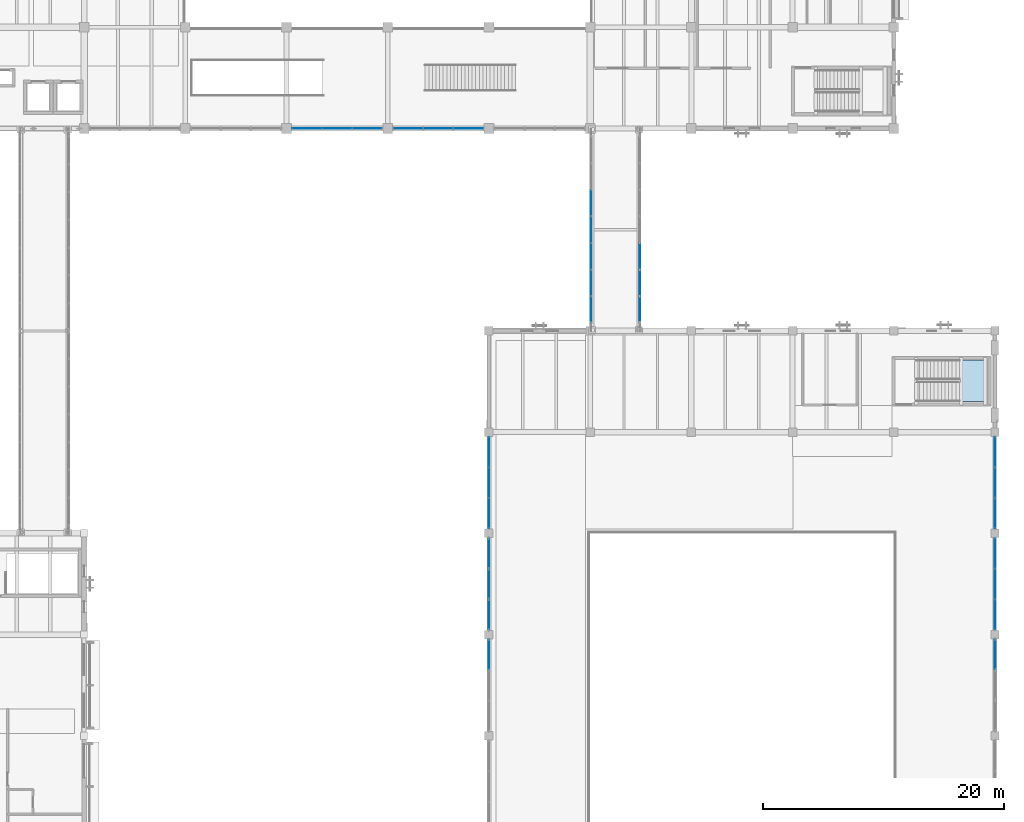
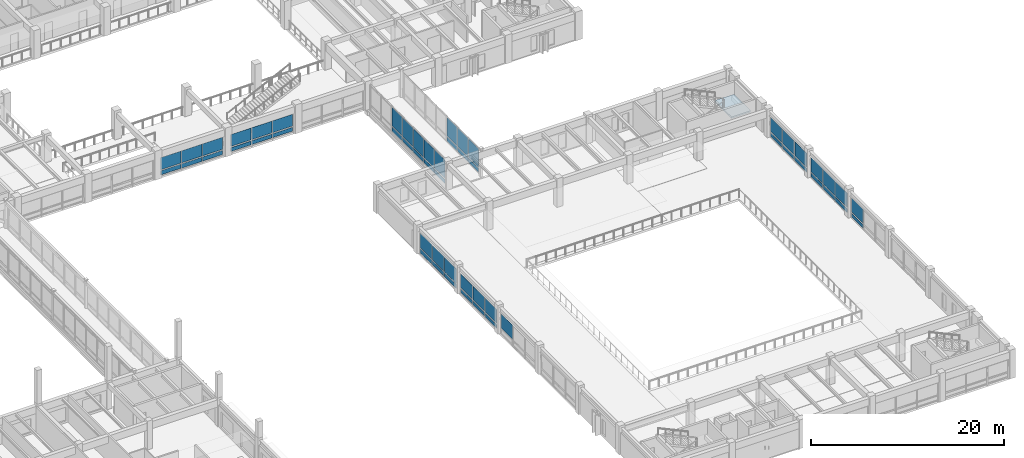
# One storey, part 57 of 118: 55 plates, 1 slab, 11 elements without a shape of their own.
"""IFC4 building model written with IfcOpenShell, lengths in metres."""

import ifcopenshell
import ifcopenshell.guid

model = None  # the IFC model being written
_history = None  # IfcOwnerHistory: only IFC2X3 demands one
_inside = {}  # id of a spatial element -> (the spatial element, [elements in it])
_under = {}  # id of a project, library or spatial element -> (it, [spatial elements below it])
_declared = {}  # id of a project -> (the project, [libraries it declares])
_typed = {}  # id of a type object -> (the type object, [elements of that type])
_made_of = {}  # id of a material, layer set ... -> (it, [elements and type objects made of it])


def new_model(schema):
    """Start an empty IFC model of exactly this schema.

    Asked for "IFC4X3", IfcOpenShell would pick the latest addendum, in which some entities
    have other attributes; the version numbers below select the first issue.
    IFC2X3 requires an IfcOwnerHistory on every rooted entity: one is made here for all.
    """
    global model, _history
    if schema == "IFC4X3":
        model = ifcopenshell.file(schema_version=(4, 3, 0, 0))
    else:
        model = ifcopenshell.file(schema=schema)
    _inside.clear()
    _under.clear()
    _declared.clear()
    _typed.clear()
    _made_of.clear()
    _history = None
    if model.schema == "IFC2X3":
        org = make("IfcOrganization", Name="unknown")
        user = make(
            "IfcPersonAndOrganization",
            ThePerson=make("IfcPerson", FamilyName="unknown"),
            TheOrganization=org,
        )
        app = make(
            "IfcApplication",
            ApplicationDeveloper=org,
            Version="unknown",
            ApplicationFullName="unknown",
            ApplicationIdentifier="unknown",
        )
        _history = make(
            "IfcOwnerHistory",
            OwningUser=user,
            OwningApplication=app,
            ChangeAction="ADDED",
            CreationDate=0,
        )
    return model


def make(cls, **values):
    """One entity of the class cls with the attributes given. An attribute that is None is left unset."""
    return model.create_entity(
        cls, **{name: value for name, value in values.items() if value is not None}
    )


def rooted(cls, **values):
    """An entity with a GlobalId (a new one), such as an element, a storey or a relation."""
    return make(cls, GlobalId=ifcopenshell.guid.new(), OwnerHistory=_history, **values)


def si_unit(unit_type, name, prefix=None):
    """IfcSIUnit, for example si_unit("LENGTHUNIT", "METRE", prefix="MILLI")."""
    return make("IfcSIUnit", UnitType=unit_type, Prefix=prefix, Name=name)


def assignment(units):
    """IfcUnitAssignment: the units of a project."""
    return None if units is None else make("IfcUnitAssignment", Units=units)


def point(xyz):
    """IfcCartesianPoint."""
    return None if xyz is None else make("IfcCartesianPoint", Coordinates=xyz)


def direction(xyz):
    """IfcDirection."""
    return None if xyz is None else make("IfcDirection", DirectionRatios=xyz)


def frame(location, z_axis=None, x_axis=None):
    """IfcAxis2Placement3D, a coordinate frame: its origin and axes. An axis left out is left unset."""
    return make(
        "IfcAxis2Placement3D",
        Location=point(location),
        Axis=direction(z_axis),
        RefDirection=direction(x_axis),
    )


def frame_2d(location, x_axis=None):
    """IfcAxis2Placement2D, a coordinate frame in the plane: its origin and x axis."""
    return make(
        "IfcAxis2Placement2D", Location=point(location), RefDirection=direction(x_axis)
    )


def origin():
    """The frame at (0, 0, 0) with its axes left unset."""
    return frame((0.0, 0.0, 0.0))


def origin_2d():
    """The frame at (0, 0) in the plane with its x axis left unset."""
    return frame_2d((0.0, 0.0))


def place(relative_to, where):
    """IfcLocalPlacement: puts the frame where relative to a parent placement (None: the world)."""
    return make(
        "IfcLocalPlacement", PlacementRelTo=relative_to, RelativePlacement=where
    )


def context(
    kind, dimensions, precision=None, world=None, true_north=None, identifier=None
):
    """IfcGeometricRepresentationContext, for example the 3D "Model" context."""
    return make(
        "IfcGeometricRepresentationContext",
        ContextIdentifier=identifier,
        ContextType=kind,
        CoordinateSpaceDimension=dimensions,
        Precision=precision,
        WorldCoordinateSystem=world,
        TrueNorth=true_north,
    )


def subcontext(parent, identifier, kind, view, scale=None):
    """IfcGeometricRepresentationSubContext, for example "Body" below "Model"."""
    return make(
        "IfcGeometricRepresentationSubContext",
        ContextIdentifier=identifier,
        ContextType=kind,
        ParentContext=parent,
        TargetScale=scale,
        TargetView=view,
    )


def project(units=None, contexts=None):
    """IfcProject with its units and contexts."""
    return rooted(
        "IfcProject",
        Name="project",
        RepresentationContexts=contexts,
        UnitsInContext=assignment(units),
    )


def spatial(cls, under=None, at=None, **own):
    """A site, building, storey or space (cls), placed at a placement, below another one or the project."""
    s = rooted(cls, ObjectPlacement=at, **own)
    if under is not None:
        _under.setdefault(under.id(), (under, []))[1].append(s)
    return s


def polyline(points):
    """IfcPolyline through the points."""
    return make("IfcPolyline", Points=[point(p) for p in points])


def profile(cls, at=None, kind="AREA", **sizes):
    """A parametric profile (cls). Its sizes go by their IFC names, for example OverallWidth=200.0."""
    return make(cls, ProfileType=kind, Position=at, **sizes)


def rectangle(**sizes):
    """IfcRectangleProfileDef."""
    return profile("IfcRectangleProfileDef", **sizes)


def outline(outer, holes=None, kind="AREA"):
    """IfcArbitraryClosedProfileDef: a profile drawn as a closed curve; with holes, ...WithVoids."""
    if holes is None:
        return make("IfcArbitraryClosedProfileDef", ProfileType=kind, OuterCurve=outer)
    return make(
        "IfcArbitraryProfileDefWithVoids",
        ProfileType=kind,
        OuterCurve=outer,
        InnerCurves=holes,
    )


def extrude(swept, where, along, depth):
    """IfcExtrudedAreaSolid: the profile swept, set in the frame where, extruded along a direction by depth."""
    return make(
        "IfcExtrudedAreaSolid",
        SweptArea=swept,
        Position=where,
        ExtrudedDirection=direction(along),
        Depth=depth,
    )


def shape(context_of_items, identifier, shape_type, items):
    """IfcShapeRepresentation: the items that make up one representation, for example the "Body"."""
    return make(
        "IfcShapeRepresentation",
        ContextOfItems=context_of_items,
        RepresentationIdentifier=identifier,
        RepresentationType=shape_type,
        Items=items,
    )


def material(Name=None, Category=None):
    """IfcMaterial."""
    return make("IfcMaterial", Name=Name, Category=Category)


def layer(
    of_material, thickness, ventilated=None, Name=None, Category=None, Priority=None
):
    """IfcMaterialLayer: one layer of a wall or slab, of a material (None: an air gap)."""
    return make(
        "IfcMaterialLayer",
        Material=of_material,
        LayerThickness=thickness,
        IsVentilated=ventilated,
        Name=Name,
        Category=Category,
        Priority=Priority,
    )


def layer_set(layers, Name=None):
    """IfcMaterialLayerSet."""
    return make("IfcMaterialLayerSet", MaterialLayers=layers, LayerSetName=Name)


def made_of(thing, what):
    """Note that an element or type object is made of a material, layer set ...; save() writes the relation."""
    if what is not None:
        _made_of.setdefault(what.id(), (what, []))[1].append(thing)
    return thing


def type_object(cls, material=None, **own):
    """A type object (cls), such as IfcWallType, which elements share."""
    return made_of(rooted(cls, **own), material)


def element(
    cls,
    number,
    at=None,
    inside=None,
    cuts=None,
    type_object=None,
    material=None,
    context=None,
    identifier="Body",
    shape_type=None,
    held_by="IfcProductDefinitionShape",
    body=None,
    shapes=None,
    **own,
):
    """One element of the class cls, such as IfcWall. Its Tag is "e" and its number.

    at: its placement. inside: the storey or other place that contains it. cuts: it is an
    opening in that element (IfcRelVoidsElement). A single representation is given by context,
    identifier, shape_type and body (its items); several are given by shapes. held_by: the class
    of the entity that holds the representations. save() writes the other relations.
    """
    e = rooted(cls, Tag="e%d" % number, ObjectPlacement=at, **own)
    if body is not None:
        shapes = [shape(context, identifier, shape_type, body)]
    if shapes is not None:
        e.Representation = make(held_by, Representations=shapes)
    if inside is not None:
        _inside.setdefault(inside.id(), (inside, []))[1].append(e)
    if cuts is not None:
        rooted(
            "IfcRelVoidsElement", RelatingBuildingElement=cuts, RelatedOpeningElement=e
        )
    if type_object is not None:
        _typed.setdefault(type_object.id(), (type_object, []))[1].append(e)
    return made_of(e, material)


def aggregate(whole, parts):
    """IfcRelAggregates: a whole, such as a stair, and the parts it consists of."""
    return rooted("IfcRelAggregates", RelatingObject=whole, RelatedObjects=parts)


def save(model, path):
    """Write the relations noted so far, then the file.

    IfcRelAggregates (storeys below a building ...), IfcRelContainedInSpatialStructure (elements
    in a storey), IfcRelDefinesByType, IfcRelAssociatesMaterial and IfcRelDeclares: one each for
    every whole, place, type object, material and project.
    """
    for whole, parts in _under.values():
        aggregate(whole, parts)
    for where, things in _inside.values():
        rooted(
            "IfcRelContainedInSpatialStructure",
            RelatedElements=things,
            RelatingStructure=where,
        )
    for kind, things in _typed.values():
        rooted("IfcRelDefinesByType", RelatedObjects=things, RelatingType=kind)
    for what, things in _made_of.values():
        rooted("IfcRelAssociatesMaterial", RelatedObjects=things, RelatingMaterial=what)
    for by, libraries in _declared.values():
        rooted("IfcRelDeclares", RelatingContext=by, RelatedDefinitions=libraries)
    model.write(path)


model = new_model("IFC4")

# Units and contexts
model_context = context("Model", 3, precision=1e-05, world=origin(), true_north=direction((0.0, 1.0)))
body_context = subcontext(model_context, "Body", "Model", "MODEL_VIEW")
ifc_project = project(units=[si_unit("LENGTHUNIT", "METRE"), si_unit("AREAUNIT", "SQUARE_METRE"), si_unit("VOLUMEUNIT", "CUBIC_METRE"), si_unit("PLANEANGLEUNIT", "RADIAN"), si_unit("MASSUNIT", "GRAM", prefix="KILO")], contexts=[model_context])

# Site, building, storey
site_placement = place(None, origin())
site = spatial("IfcSite", under=ifc_project, at=site_placement, CompositionType="ELEMENT")
building_placement = place(site_placement, origin())
building = spatial("IfcBuilding", under=site, at=building_placement, Name="Cumbredor Promenade Congress Hotel", CompositionType="ELEMENT")
storey_placement = place(building_placement, frame((0.0, 0.0, 3.919921875)))
storey = spatial("IfcBuildingStorey", under=building, at=storey_placement, Name="L01", CompositionType="ELEMENT", Elevation=3.919921875)

# Stair, slab
ifc_material_1 = material(Name="Concrete C40/50", Category="concrete")
stair_type = type_object("IfcStairType", Name="Protected Dog-Leg Exit Stair ST-T3 1650mm", PredefinedType="HALF_TURN_STAIR", material=ifc_material_1)
stair_placement = place(storey_placement, origin())
stair = element("IfcStair", 1, at=stair_placement, inside=storey, type_object=stair_type, Name="L01 Protected Exit Stair ST-10", PredefinedType="HALF_TURN_STAIR")
ifc_layer_1 = layer(ifc_material_1, 0.199951171875, Name="Concrete C40/50", Category="concrete")
ifc_layer_set_1 = layer_set([ifc_layer_1], Name="Concrete C40/50")
slab_type = type_object("IfcSlabType", Name="Concrete Stair Landing Slab 200mm", PredefinedType="LANDING", material=ifc_layer_set_1)
slab_placement = place(storey_placement, frame((0.0, 0.0, 1.6201171875)))
slab = element("IfcSlab", 2, at=slab_placement, type_object=slab_type, Name="ST-10 landing 1", PredefinedType="LANDING", context=body_context, shape_type="SweptSolid", body=[
    extrude(outline(polyline([(181.85009765625, 61.35009765625), (184.14990234375, 61.35009765625), (184.14990234375, 64.800048828125), (181.85009765625, 64.800048828125), (181.85009765625, 61.35009765625)])), origin(), (0.0, 0.0, 1.0), 0.199951171875),
])
aggregate(stair, [slab])

# Curtain wall, plates
ifc_material_2 = material(Name="Thermally broken anodized aluminium and low-E glass", Category="aluminium")
curtain_wall_type_1 = type_object("IfcCurtainWallType", Name="Unitised Bridge Glazing Screen CW-05", PredefinedType="NOTDEFINED", material=ifc_material_2)
curtain_wall_1_placement = place(storey_placement, origin())
curtain_wall_1 = element("IfcCurtainWall", 3, at=curtain_wall_1_placement, inside=storey, type_object=curtain_wall_type_1, Name="L01 East Ballroom-to-Forum Glazed Bridge West Glazing Screen", PredefinedType="NOTDEFINED")
ifc_material_3 = material(Name="Laminated low-E solar-control glass", Category="glass")
ifc_layer_2 = layer(ifc_material_3, 0.030029296875, Name="Laminated low-E solar-control glass", Category="glass")
ifc_layer_set_2 = layer_set([ifc_layer_2], Name="Laminated low-E solar-control glass")
plate_type_1 = type_object("IfcPlateType", Name="Glazed Bridge Panel PNL-04", PredefinedType="CURTAIN_PANEL", material=ifc_layer_set_2)
plate_1_placement = place(storey_placement, frame((151.280029296875, 68.9658203125, 0.78515625), z_axis=(0.0, 0.0, 1.0), x_axis=(0.0, 1.0, 0.0)))
plate_1 = element("IfcPlate", 4, at=plate_1_placement, type_object=plate_type_1, Name="L01 East Ballroom-to-Forum Glazed Bridge West Glazing Screen Glazing Panel 1.2", PredefinedType="CURTAIN_PANEL", context=body_context, shape_type="SweptSolid", body=[
    extrude(rectangle(XDim=2.146484375, YDim=0.030029296875, at=origin_2d()), origin(), (0.0, 0.0, 1.0), 2.340087890625),
])
plate_2_placement = place(storey_placement, frame((151.280029296875, 71.177001953125, 0.78515625), z_axis=(0.0, 0.0, 1.0), x_axis=(0.0, 1.0, 0.0)))
plate_2 = element("IfcPlate", 5, at=plate_2_placement, type_object=plate_type_1, Name="L01 East Ballroom-to-Forum Glazed Bridge West Glazing Screen Glazing Panel 2.2", PredefinedType="CURTAIN_PANEL", context=body_context, shape_type="SweptSolid", body=[
    extrude(rectangle(XDim=2.146484375, YDim=0.030029296875, at=origin_2d()), origin(), (0.0, 0.0, 1.0), 2.340087890625),
])
plate_3_placement = place(storey_placement, frame((151.280029296875, 73.388671875, 0.78515625), z_axis=(0.0, 0.0, 1.0), x_axis=(0.0, 1.0, 0.0)))
plate_3 = element("IfcPlate", 6, at=plate_3_placement, type_object=plate_type_1, Name="L01 East Ballroom-to-Forum Glazed Bridge West Glazing Screen Glazing Panel 3.2", PredefinedType="CURTAIN_PANEL", context=body_context, shape_type="SweptSolid", body=[
    extrude(rectangle(XDim=2.146484375, YDim=0.030029296875, at=origin_2d()), origin(), (0.0, 0.0, 1.0), 2.340087890625),
])
plate_4_placement = place(storey_placement, frame((151.280029296875, 75.60009765625, 0.78515625), z_axis=(0.0, 0.0, 1.0), x_axis=(0.0, 1.0, 0.0)))
plate_4 = element("IfcPlate", 7, at=plate_4_placement, type_object=plate_type_1, Name="L01 East Ballroom-to-Forum Glazed Bridge West Glazing Screen Glazing Panel 4.2", PredefinedType="CURTAIN_PANEL", context=body_context, shape_type="SweptSolid", body=[
    extrude(rectangle(XDim=2.146484375, YDim=0.030029296875, at=origin_2d()), origin(), (0.0, 0.0, 1.0), 2.340087890625),
])
plate_5_placement = place(storey_placement, frame((151.280029296875, 77.811279296875, 0.78515625), z_axis=(0.0, 0.0, 1.0), x_axis=(0.0, 1.0, 0.0)))
plate_5 = element("IfcPlate", 8, at=plate_5_placement, type_object=plate_type_1, Name="L01 East Ballroom-to-Forum Glazed Bridge West Glazing Screen Glazing Panel 5.2", PredefinedType="CURTAIN_PANEL", context=body_context, shape_type="SweptSolid", body=[
    extrude(rectangle(XDim=2.146484375, YDim=0.030029296875, at=origin_2d()), origin(), (0.0, 0.0, 1.0), 2.340087890625),
])

curtain_wall_2_placement = place(storey_placement, origin())
curtain_wall_2 = element("IfcCurtainWall", 9, at=curtain_wall_2_placement, inside=storey, type_object=curtain_wall_type_1, Name="L01 East Ballroom-to-Forum Glazed Bridge East Glazing Screen", PredefinedType="NOTDEFINED")
plate_6_placement = place(storey_placement, frame((155.320068359375, 68.9658203125, 0.78515625), z_axis=(0.0, 0.0, 1.0), x_axis=(0.0, 1.0, 0.0)))
plate_6 = element("IfcPlate", 10, at=plate_6_placement, type_object=plate_type_1, Name="L01 East Ballroom-to-Forum Glazed Bridge East Glazing Screen Glazing Panel 1.2", PredefinedType="CURTAIN_PANEL", context=body_context, shape_type="SweptSolid", body=[
    extrude(rectangle(XDim=2.146484375, YDim=0.030029296875, at=origin_2d()), origin(), (0.0, 0.0, 1.0), 2.340087890625),
])
plate_7_placement = place(storey_placement, frame((155.320068359375, 71.177001953125, 0.78515625), z_axis=(0.0, 0.0, 1.0), x_axis=(0.0, 1.0, 0.0)))
plate_7 = element("IfcPlate", 11, at=plate_7_placement, type_object=plate_type_1, Name="L01 East Ballroom-to-Forum Glazed Bridge East Glazing Screen Glazing Panel 2.2", PredefinedType="CURTAIN_PANEL", context=body_context, shape_type="SweptSolid", body=[
    extrude(rectangle(XDim=2.146484375, YDim=0.030029296875, at=origin_2d()), origin(), (0.0, 0.0, 1.0), 2.340087890625),
])
plate_8_placement = place(storey_placement, frame((155.320068359375, 73.388671875, 0.78515625), z_axis=(0.0, 0.0, 1.0), x_axis=(0.0, 1.0, 0.0)))
plate_8 = element("IfcPlate", 12, at=plate_8_placement, type_object=plate_type_1, Name="L01 East Ballroom-to-Forum Glazed Bridge East Glazing Screen Glazing Panel 3.2", PredefinedType="CURTAIN_PANEL", context=body_context, shape_type="SweptSolid", body=[
    extrude(rectangle(XDim=2.146484375, YDim=0.030029296875, at=origin_2d()), origin(), (0.0, 0.0, 1.0), 2.340087890625),
])

curtain_wall_type_2 = type_object("IfcCurtainWallType", Name="Unitised Bronze Curtain Wall CW-01", PredefinedType="NOTDEFINED", material=ifc_material_2)
curtain_wall_3_placement = place(storey_placement, origin())
curtain_wall_3 = element("IfcCurtainWall", 13, at=curtain_wall_3_placement, inside=storey, type_object=curtain_wall_type_2, Name="L01 Grand Ballroom Pavilion West Curtain Wall 6", PredefinedType="NOTDEFINED")
ifc_layer_3 = layer(ifc_material_3, 0.028076171875, Name="Laminated low-E solar-control glass", Category="glass")
ifc_layer_set_3 = layer_set([ifc_layer_3], Name="Laminated low-E solar-control glass")
plate_type_2 = type_object("IfcPlateType", Name="Glazed Vision Panel PNL-01", PredefinedType="CURTAIN_PANEL", material=ifc_layer_set_3)
plate_9_placement = place(storey_placement, frame((142.800048828125, 52.070068359375, 0.78515625), z_axis=(0.0, 0.0, 1.0), x_axis=(0.0, 1.0, 0.0)))
plate_9 = element("IfcPlate", 14, at=plate_9_placement, type_object=plate_type_2, Name="L01 Grand Ballroom Pavilion West Curtain Wall 6 Glazing Panel 1.2", PredefinedType="CURTAIN_PANEL", context=body_context, shape_type="SweptSolid", body=[
    extrude(rectangle(XDim=2.465087890625, YDim=0.028076171875, at=origin_2d()), origin(), (0.0, 0.0, 1.0), 1.820068359375),
])
plate_10_placement = place(storey_placement, frame((142.800048828125, 54.60009765625, 0.78515625), z_axis=(0.0, 0.0, 1.0), x_axis=(0.0, 1.0, 0.0)))
plate_10 = element("IfcPlate", 15, at=plate_10_placement, type_object=plate_type_2, Name="L01 Grand Ballroom Pavilion West Curtain Wall 6 Glazing Panel 2.2", PredefinedType="CURTAIN_PANEL", context=body_context, shape_type="SweptSolid", body=[
    extrude(rectangle(XDim=2.465087890625, YDim=0.028076171875, at=origin_2d()), origin(), (0.0, 0.0, 1.0), 1.820068359375),
])
plate_11_placement = place(storey_placement, frame((142.800048828125, 57.1298828125, 0.78515625), z_axis=(0.0, 0.0, 1.0), x_axis=(0.0, 1.0, 0.0)))
plate_11 = element("IfcPlate", 16, at=plate_11_placement, type_object=plate_type_2, Name="L01 Grand Ballroom Pavilion West Curtain Wall 6 Glazing Panel 3.2", PredefinedType="CURTAIN_PANEL", context=body_context, shape_type="SweptSolid", body=[
    extrude(rectangle(XDim=2.465087890625, YDim=0.028076171875, at=origin_2d()), origin(), (0.0, 0.0, 1.0), 1.820068359375),
])

curtain_wall_4_placement = place(storey_placement, origin())
curtain_wall_4 = element("IfcCurtainWall", 17, at=curtain_wall_4_placement, inside=storey, type_object=curtain_wall_type_2, Name="L01 Grand Ballroom Pavilion East Curtain Wall 5", PredefinedType="NOTDEFINED")
plate_12_placement = place(storey_placement, frame((184.800048828125, 43.669921875, 0.78515625), z_axis=(0.0, 0.0, 1.0), x_axis=(0.0, 1.0, 0.0)))
plate_12 = element("IfcPlate", 18, at=plate_12_placement, type_object=plate_type_2, Name="L01 Grand Ballroom Pavilion East Curtain Wall 5 Glazing Panel 1.2", PredefinedType="CURTAIN_PANEL", context=body_context, shape_type="SweptSolid", body=[
    extrude(rectangle(XDim=2.465087890625, YDim=0.028076171875, at=origin_2d()), origin(), (0.0, 0.0, 1.0), 1.820068359375),
])
plate_13_placement = place(storey_placement, frame((184.800048828125, 46.199951171875, 0.78515625), z_axis=(0.0, 0.0, 1.0), x_axis=(0.0, 1.0, 0.0)))
plate_13 = element("IfcPlate", 19, at=plate_13_placement, type_object=plate_type_2, Name="L01 Grand Ballroom Pavilion East Curtain Wall 5 Glazing Panel 2.2", PredefinedType="CURTAIN_PANEL", context=body_context, shape_type="SweptSolid", body=[
    extrude(rectangle(XDim=2.465087890625, YDim=0.028076171875, at=origin_2d()), origin(), (0.0, 0.0, 1.0), 1.820068359375),
])
plate_14_placement = place(storey_placement, frame((184.800048828125, 48.72998046875, 0.78515625), z_axis=(0.0, 0.0, 1.0), x_axis=(0.0, 1.0, 0.0)))
plate_14 = element("IfcPlate", 20, at=plate_14_placement, type_object=plate_type_2, Name="L01 Grand Ballroom Pavilion East Curtain Wall 5 Glazing Panel 3.2", PredefinedType="CURTAIN_PANEL", context=body_context, shape_type="SweptSolid", body=[
    extrude(rectangle(XDim=2.465087890625, YDim=0.028076171875, at=origin_2d()), origin(), (0.0, 0.0, 1.0), 1.820068359375),
])

curtain_wall_type_3 = type_object("IfcCurtainWallType", Name="Unitised Forum Curtain Wall CW-02", PredefinedType="NOTDEFINED", material=ifc_material_2)
curtain_wall_5_placement = place(storey_placement, origin())
curtain_wall_5 = element("IfcCurtainWall", 21, at=curtain_wall_5_placement, inside=storey, type_object=curtain_wall_type_3, Name="L01 Pre-Function and Breakout Meeting Forum South Curtain Wall 5", PredefinedType="NOTDEFINED")
plate_15_placement = place(storey_placement, frame((127.703369140625, 84.0, 0.78515625), z_axis=(0.0, 0.0, 1.0), x_axis=(1.0, 0.0, 0.0)))
plate_15 = element("IfcPlate", 22, at=plate_15_placement, type_object=plate_type_2, Name="L01 Pre-Function and Breakout Meeting Forum South Curtain Wall 5 Glazing Panel 1.2", PredefinedType="CURTAIN_PANEL", context=body_context, shape_type="SweptSolid", body=[
    extrude(rectangle(XDim=2.431640625, YDim=0.028076171875, at=origin_2d()), origin(), (0.0, 0.0, 1.0), 1.530029296875),
])
plate_16_placement = place(storey_placement, frame((130.199951171875, 84.0, 0.78515625), z_axis=(0.0, 0.0, 1.0), x_axis=(1.0, 0.0, 0.0)))
plate_16 = element("IfcPlate", 23, at=plate_16_placement, type_object=plate_type_2, Name="L01 Pre-Function and Breakout Meeting Forum South Curtain Wall 5 Glazing Panel 2.2", PredefinedType="CURTAIN_PANEL", context=body_context, shape_type="SweptSolid", body=[
    extrude(rectangle(XDim=2.431640625, YDim=0.028076171875, at=origin_2d()), origin(), (0.0, 0.0, 1.0), 1.530029296875),
])
plate_17_placement = place(storey_placement, frame((132.696533203125, 84.0, 0.78515625), z_axis=(0.0, 0.0, 1.0), x_axis=(1.0, 0.0, 0.0)))
plate_17 = element("IfcPlate", 24, at=plate_17_placement, type_object=plate_type_2, Name="L01 Pre-Function and Breakout Meeting Forum South Curtain Wall 5 Glazing Panel 3.2", PredefinedType="CURTAIN_PANEL", context=body_context, shape_type="SweptSolid", body=[
    extrude(rectangle(XDim=2.431640625, YDim=0.028076171875, at=origin_2d()), origin(), (0.0, 0.0, 1.0), 1.530029296875),
])

# Curtain wall, plate
curtain_wall_6_placement = place(storey_placement, origin())
curtain_wall_6 = element("IfcCurtainWall", 25, at=curtain_wall_6_placement, inside=storey, type_object=curtain_wall_type_2, Name="L01 Grand Ballroom Pavilion West Curtain Wall 4", PredefinedType="NOTDEFINED")
ifc_layer_4 = layer(ifc_material_3, 0.031982421875, Name="Laminated low-E solar-control glass", Category="glass")
ifc_layer_set_4 = layer_set([ifc_layer_4], Name="Laminated low-E solar-control glass")
plate_type_3 = type_object("IfcPlateType", Name="Glazed Vision Panel PNL-02", PredefinedType="CURTAIN_PANEL", material=ifc_layer_set_4)
plate_18_placement = place(storey_placement, frame((142.800048828125, 40.330078125, 0.795166015625), z_axis=(0.0, 0.0, 1.0), x_axis=(0.0, 1.0, 0.0)))
plate_18 = element("IfcPlate", 26, at=plate_18_placement, type_object=plate_type_3, Name="L01 Grand Ballroom Pavilion West Curtain Wall 4 Glazing Panel 3.2", PredefinedType="CURTAIN_PANEL", context=body_context, shape_type="SweptSolid", body=[
    extrude(rectangle(XDim=2.455078125, YDim=0.031982421875, at=origin_2d()), origin(), (0.0, 0.0, 1.0), 1.7900390625),
])
aggregate(curtain_wall_6, [plate_18])

# Curtain wall, plates
curtain_wall_7_placement = place(storey_placement, origin())
curtain_wall_7 = element("IfcCurtainWall", 27, at=curtain_wall_7_placement, inside=storey, type_object=curtain_wall_type_2, Name="L01 Grand Ballroom Pavilion East Curtain Wall 6", PredefinedType="NOTDEFINED")
plate_19_placement = place(storey_placement, frame((184.800048828125, 52.070068359375, 0.795166015625), z_axis=(0.0, 0.0, 1.0), x_axis=(0.0, 1.0, 0.0)))
plate_19 = element("IfcPlate", 28, at=plate_19_placement, type_object=plate_type_3, Name="L01 Grand Ballroom Pavilion East Curtain Wall 6 Glazing Panel 1.2", PredefinedType="CURTAIN_PANEL", context=body_context, shape_type="SweptSolid", body=[
    extrude(rectangle(XDim=2.455078125, YDim=0.031982421875, at=origin_2d()), origin(), (0.0, 0.0, 1.0), 1.7900390625),
])
plate_20_placement = place(storey_placement, frame((184.800048828125, 54.60009765625, 0.795166015625), z_axis=(0.0, 0.0, 1.0), x_axis=(0.0, 1.0, 0.0)))
plate_20 = element("IfcPlate", 29, at=plate_20_placement, type_object=plate_type_3, Name="L01 Grand Ballroom Pavilion East Curtain Wall 6 Glazing Panel 2.2", PredefinedType="CURTAIN_PANEL", context=body_context, shape_type="SweptSolid", body=[
    extrude(rectangle(XDim=2.455078125, YDim=0.031982421875, at=origin_2d()), origin(), (0.0, 0.0, 1.0), 1.7900390625),
])
plate_21_placement = place(storey_placement, frame((184.800048828125, 57.1298828125, 0.795166015625), z_axis=(0.0, 0.0, 1.0), x_axis=(0.0, 1.0, 0.0)))
plate_21 = element("IfcPlate", 30, at=plate_21_placement, type_object=plate_type_3, Name="L01 Grand Ballroom Pavilion East Curtain Wall 6 Glazing Panel 3.2", PredefinedType="CURTAIN_PANEL", context=body_context, shape_type="SweptSolid", body=[
    extrude(rectangle(XDim=2.455078125, YDim=0.031982421875, at=origin_2d()), origin(), (0.0, 0.0, 1.0), 1.7900390625),
])

curtain_wall_8_placement = place(storey_placement, origin())
curtain_wall_8 = element("IfcCurtainWall", 31, at=curtain_wall_8_placement, inside=storey, type_object=curtain_wall_type_3, Name="L01 Pre-Function and Breakout Meeting Forum South Curtain Wall 6", PredefinedType="NOTDEFINED")
plate_22_placement = place(storey_placement, frame((136.103515625, 84.0, 0.795166015625), z_axis=(0.0, 0.0, 1.0), x_axis=(1.0, 0.0, 0.0)))
plate_22 = element("IfcPlate", 32, at=plate_22_placement, type_object=plate_type_3, Name="L01 Pre-Function and Breakout Meeting Forum South Curtain Wall 6 Glazing Panel 1.2", PredefinedType="CURTAIN_PANEL", context=body_context, shape_type="SweptSolid", body=[
    extrude(rectangle(XDim=2.421630859375, YDim=0.031982421875, at=origin_2d()), origin(), (0.0, 0.0, 1.0), 1.5),
])
plate_23_placement = place(storey_placement, frame((138.60009765625, 84.0, 0.795166015625), z_axis=(0.0, 0.0, 1.0), x_axis=(1.0, 0.0, 0.0)))
plate_23 = element("IfcPlate", 33, at=plate_23_placement, type_object=plate_type_3, Name="L01 Pre-Function and Breakout Meeting Forum South Curtain Wall 6 Glazing Panel 2.2", PredefinedType="CURTAIN_PANEL", context=body_context, shape_type="SweptSolid", body=[
    extrude(rectangle(XDim=2.421630859375, YDim=0.031982421875, at=origin_2d()), origin(), (0.0, 0.0, 1.0), 1.5),
])
plate_24_placement = place(storey_placement, frame((141.0966796875, 84.0, 0.795166015625), z_axis=(0.0, 0.0, 1.0), x_axis=(1.0, 0.0, 0.0)))
plate_24 = element("IfcPlate", 34, at=plate_24_placement, type_object=plate_type_3, Name="L01 Pre-Function and Breakout Meeting Forum South Curtain Wall 6 Glazing Panel 3.2", PredefinedType="CURTAIN_PANEL", context=body_context, shape_type="SweptSolid", body=[
    extrude(rectangle(XDim=2.421630859375, YDim=0.031982421875, at=origin_2d()), origin(), (0.0, 0.0, 1.0), 1.5),
])

curtain_wall_9_placement = place(storey_placement, origin())
curtain_wall_9 = element("IfcCurtainWall", 35, at=curtain_wall_9_placement, inside=storey, type_object=curtain_wall_type_2, Name="L01 Grand Ballroom Pavilion West Curtain Wall 5", PredefinedType="NOTDEFINED")
ifc_layer_5 = layer(ifc_material_3, 0.028076171875, Name="Laminated low-E solar-control glass", Category="glass")
ifc_layer_set_5 = layer_set([ifc_layer_5], Name="Laminated low-E solar-control glass")
plate_type_4 = type_object("IfcPlateType", Name="Glazed Vision Panel PNL-03", PredefinedType="CURTAIN_PANEL", material=ifc_layer_set_5)
plate_25_placement = place(storey_placement, frame((142.800048828125, 43.669921875, 0.81005859375), z_axis=(0.0, 0.0, 1.0), x_axis=(0.0, 1.0, 0.0)))
plate_25 = element("IfcPlate", 36, at=plate_25_placement, type_object=plate_type_4, Name="L01 Grand Ballroom Pavilion West Curtain Wall 5 Glazing Panel 1.2", PredefinedType="CURTAIN_PANEL", context=body_context, shape_type="SweptSolid", body=[
    extrude(rectangle(XDim=2.449951171875, YDim=0.028076171875, at=origin_2d()), origin(), (0.0, 0.0, 1.0), 1.739990234375),
])
plate_26_placement = place(storey_placement, frame((142.800048828125, 46.199951171875, 0.81005859375), z_axis=(0.0, 0.0, 1.0), x_axis=(0.0, 1.0, 0.0)))
plate_26 = element("IfcPlate", 37, at=plate_26_placement, type_object=plate_type_4, Name="L01 Grand Ballroom Pavilion West Curtain Wall 5 Glazing Panel 2.2", PredefinedType="CURTAIN_PANEL", context=body_context, shape_type="SweptSolid", body=[
    extrude(rectangle(XDim=2.449951171875, YDim=0.028076171875, at=origin_2d()), origin(), (0.0, 0.0, 1.0), 1.739990234375),
])
plate_27_placement = place(storey_placement, frame((142.800048828125, 48.72998046875, 0.81005859375), z_axis=(0.0, 0.0, 1.0), x_axis=(0.0, 1.0, 0.0)))
plate_27 = element("IfcPlate", 38, at=plate_27_placement, type_object=plate_type_4, Name="L01 Grand Ballroom Pavilion West Curtain Wall 5 Glazing Panel 3.2", PredefinedType="CURTAIN_PANEL", context=body_context, shape_type="SweptSolid", body=[
    extrude(rectangle(XDim=2.449951171875, YDim=0.028076171875, at=origin_2d()), origin(), (0.0, 0.0, 1.0), 1.739990234375),
])

# Curtain wall, plate
curtain_wall_10_placement = place(storey_placement, origin())
curtain_wall_10 = element("IfcCurtainWall", 39, at=curtain_wall_10_placement, inside=storey, type_object=curtain_wall_type_2, Name="L01 Grand Ballroom Pavilion East Curtain Wall 4", PredefinedType="NOTDEFINED")
plate_28_placement = place(storey_placement, frame((184.800048828125, 40.330078125, 0.81005859375), z_axis=(0.0, 0.0, 1.0), x_axis=(0.0, 1.0, 0.0)))
plate_28 = element("IfcPlate", 40, at=plate_28_placement, type_object=plate_type_4, Name="L01 Grand Ballroom Pavilion East Curtain Wall 4 Glazing Panel 3.2", PredefinedType="CURTAIN_PANEL", context=body_context, shape_type="SweptSolid", body=[
    extrude(rectangle(XDim=2.449951171875, YDim=0.028076171875, at=origin_2d()), origin(), (0.0, 0.0, 1.0), 1.739990234375),
])

# Plate
ifc_material_4 = material(Name="Thermally broken anodized aluminium", Category="aluminium")
ifc_layer_6 = layer(ifc_material_4, 0.0400390625, Name="Thermally broken anodized aluminium", Category="aluminium")
ifc_layer_set_6 = layer_set([ifc_layer_6], Name="Thermally broken anodized aluminium")
plate_type_5 = type_object("IfcPlateType", Name="Insulated Spandrel Panel PNL-05", PredefinedType="CURTAIN_PANEL", material=ifc_layer_set_6)
plate_29_placement = place(storey_placement, frame((142.800048828125, 52.070068359375, 0.125), z_axis=(0.0, 0.0, 1.0), x_axis=(0.0, 1.0, 0.0)))
plate_29 = element("IfcPlate", 41, at=plate_29_placement, type_object=plate_type_5, Name="L01 Grand Ballroom Pavilion West Curtain Wall 6 Spandrel Panel 1.1", PredefinedType="CURTAIN_PANEL", context=body_context, shape_type="SweptSolid", body=[
    extrude(rectangle(XDim=2.465087890625, YDim=0.0400390625, at=origin_2d()), origin(), (0.0, 0.0, 1.0), 0.530029296875),
])

plate_30_placement = place(storey_placement, frame((142.800048828125, 54.60009765625, 0.125), z_axis=(0.0, 0.0, 1.0), x_axis=(0.0, 1.0, 0.0)))
plate_30 = element("IfcPlate", 42, at=plate_30_placement, type_object=plate_type_5, Name="L01 Grand Ballroom Pavilion West Curtain Wall 6 Spandrel Panel 2.1", PredefinedType="CURTAIN_PANEL", context=body_context, shape_type="SweptSolid", body=[
    extrude(rectangle(XDim=2.465087890625, YDim=0.0400390625, at=origin_2d()), origin(), (0.0, 0.0, 1.0), 0.530029296875),
])

plate_31_placement = place(storey_placement, frame((142.800048828125, 57.1298828125, 0.125), z_axis=(0.0, 0.0, 1.0), x_axis=(0.0, 1.0, 0.0)))
plate_31 = element("IfcPlate", 43, at=plate_31_placement, type_object=plate_type_5, Name="L01 Grand Ballroom Pavilion West Curtain Wall 6 Spandrel Panel 3.1", PredefinedType="CURTAIN_PANEL", context=body_context, shape_type="SweptSolid", body=[
    extrude(rectangle(XDim=2.465087890625, YDim=0.0400390625, at=origin_2d()), origin(), (0.0, 0.0, 1.0), 0.530029296875),
])

aggregate(curtain_wall_3, [plate_29, plate_9, plate_30, plate_10, plate_31, plate_11])

plate_32_placement = place(storey_placement, frame((184.800048828125, 40.330078125, 0.18017578125), z_axis=(0.0, 0.0, 1.0), x_axis=(0.0, 1.0, 0.0)))
plate_32 = element("IfcPlate", 44, at=plate_32_placement, type_object=plate_type_5, Name="L01 Grand Ballroom Pavilion East Curtain Wall 4 Spandrel Panel 3.1", PredefinedType="CURTAIN_PANEL", context=body_context, shape_type="SweptSolid", body=[
    extrude(rectangle(XDim=2.449951171875, YDim=0.0400390625, at=origin_2d()), origin(), (0.0, 0.0, 1.0), 0.449951171875),
])

aggregate(curtain_wall_10, [plate_32, plate_28])

plate_33_placement = place(storey_placement, frame((184.800048828125, 52.070068359375, 0.1552734375), z_axis=(0.0, 0.0, 1.0), x_axis=(0.0, 1.0, 0.0)))
plate_33 = element("IfcPlate", 45, at=plate_33_placement, type_object=plate_type_5, Name="L01 Grand Ballroom Pavilion East Curtain Wall 6 Spandrel Panel 1.1", PredefinedType="CURTAIN_PANEL", context=body_context, shape_type="SweptSolid", body=[
    extrude(rectangle(XDim=2.455078125, YDim=0.0400390625, at=origin_2d()), origin(), (0.0, 0.0, 1.0), 0.489990234375),
])

plate_34_placement = place(storey_placement, frame((184.800048828125, 54.60009765625, 0.1552734375), z_axis=(0.0, 0.0, 1.0), x_axis=(0.0, 1.0, 0.0)))
plate_34 = element("IfcPlate", 46, at=plate_34_placement, type_object=plate_type_5, Name="L01 Grand Ballroom Pavilion East Curtain Wall 6 Spandrel Panel 2.1", PredefinedType="CURTAIN_PANEL", context=body_context, shape_type="SweptSolid", body=[
    extrude(rectangle(XDim=2.455078125, YDim=0.0400390625, at=origin_2d()), origin(), (0.0, 0.0, 1.0), 0.489990234375),
])

plate_35_placement = place(storey_placement, frame((184.800048828125, 57.1298828125, 0.1552734375), z_axis=(0.0, 0.0, 1.0), x_axis=(0.0, 1.0, 0.0)))
plate_35 = element("IfcPlate", 47, at=plate_35_placement, type_object=plate_type_5, Name="L01 Grand Ballroom Pavilion East Curtain Wall 6 Spandrel Panel 3.1", PredefinedType="CURTAIN_PANEL", context=body_context, shape_type="SweptSolid", body=[
    extrude(rectangle(XDim=2.455078125, YDim=0.0400390625, at=origin_2d()), origin(), (0.0, 0.0, 1.0), 0.489990234375),
])

aggregate(curtain_wall_7, [plate_33, plate_19, plate_34, plate_20, plate_35, plate_21])

plate_36_placement = place(storey_placement, frame((136.103515625, 84.0, 0.1552734375), z_axis=(0.0, 0.0, 1.0), x_axis=(1.0, 0.0, 0.0)))
plate_36 = element("IfcPlate", 48, at=plate_36_placement, type_object=plate_type_5, Name="L01 Pre-Function and Breakout Meeting Forum South Curtain Wall 6 Spandrel Panel 1.1", PredefinedType="CURTAIN_PANEL", context=body_context, shape_type="SweptSolid", body=[
    extrude(rectangle(XDim=2.421630859375, YDim=0.0400390625, at=origin_2d()), origin(), (0.0, 0.0, 1.0), 0.489990234375),
])

plate_37_placement = place(storey_placement, frame((138.60009765625, 84.0, 0.1552734375), z_axis=(0.0, 0.0, 1.0), x_axis=(1.0, 0.0, 0.0)))
plate_37 = element("IfcPlate", 49, at=plate_37_placement, type_object=plate_type_5, Name="L01 Pre-Function and Breakout Meeting Forum South Curtain Wall 6 Spandrel Panel 2.1", PredefinedType="CURTAIN_PANEL", context=body_context, shape_type="SweptSolid", body=[
    extrude(rectangle(XDim=2.421630859375, YDim=0.0400390625, at=origin_2d()), origin(), (0.0, 0.0, 1.0), 0.489990234375),
])

plate_38_placement = place(storey_placement, frame((141.0966796875, 84.0, 0.1552734375), z_axis=(0.0, 0.0, 1.0), x_axis=(1.0, 0.0, 0.0)))
plate_38 = element("IfcPlate", 50, at=plate_38_placement, type_object=plate_type_5, Name="L01 Pre-Function and Breakout Meeting Forum South Curtain Wall 6 Spandrel Panel 3.1", PredefinedType="CURTAIN_PANEL", context=body_context, shape_type="SweptSolid", body=[
    extrude(rectangle(XDim=2.421630859375, YDim=0.0400390625, at=origin_2d()), origin(), (0.0, 0.0, 1.0), 0.489990234375),
])

aggregate(curtain_wall_8, [plate_36, plate_22, plate_37, plate_23, plate_38, plate_24])

ifc_layer_7 = layer(ifc_material_4, 0.0400390625, Name="Thermally broken anodized aluminium", Category="aluminium")
ifc_layer_set_7 = layer_set([ifc_layer_7], Name="Thermally broken anodized aluminium")
plate_type_6 = type_object("IfcPlateType", Name="Insulated Spandrel Panel PNL-06", PredefinedType="CURTAIN_PANEL", material=ifc_layer_set_7)
plate_39_placement = place(storey_placement, frame((142.800048828125, 43.669921875, 0.18017578125), z_axis=(0.0, 0.0, 1.0), x_axis=(0.0, 1.0, 0.0)))
plate_39 = element("IfcPlate", 51, at=plate_39_placement, type_object=plate_type_6, Name="L01 Grand Ballroom Pavilion West Curtain Wall 5 Spandrel Panel 1.1", PredefinedType="CURTAIN_PANEL", context=body_context, shape_type="SweptSolid", body=[
    extrude(rectangle(XDim=2.449951171875, YDim=0.0400390625, at=origin_2d()), origin(), (0.0, 0.0, 1.0), 0.449951171875),
])

plate_40_placement = place(storey_placement, frame((142.800048828125, 46.199951171875, 0.18017578125), z_axis=(0.0, 0.0, 1.0), x_axis=(0.0, 1.0, 0.0)))
plate_40 = element("IfcPlate", 52, at=plate_40_placement, type_object=plate_type_6, Name="L01 Grand Ballroom Pavilion West Curtain Wall 5 Spandrel Panel 2.1", PredefinedType="CURTAIN_PANEL", context=body_context, shape_type="SweptSolid", body=[
    extrude(rectangle(XDim=2.449951171875, YDim=0.0400390625, at=origin_2d()), origin(), (0.0, 0.0, 1.0), 0.449951171875),
])

plate_41_placement = place(storey_placement, frame((142.800048828125, 48.72998046875, 0.18017578125), z_axis=(0.0, 0.0, 1.0), x_axis=(0.0, 1.0, 0.0)))
plate_41 = element("IfcPlate", 53, at=plate_41_placement, type_object=plate_type_6, Name="L01 Grand Ballroom Pavilion West Curtain Wall 5 Spandrel Panel 3.1", PredefinedType="CURTAIN_PANEL", context=body_context, shape_type="SweptSolid", body=[
    extrude(rectangle(XDim=2.449951171875, YDim=0.0400390625, at=origin_2d()), origin(), (0.0, 0.0, 1.0), 0.449951171875),
])

aggregate(curtain_wall_9, [plate_39, plate_25, plate_40, plate_26, plate_41, plate_27])

plate_42_placement = place(storey_placement, frame((184.800048828125, 43.669921875, 0.125), z_axis=(0.0, 0.0, 1.0), x_axis=(0.0, 1.0, 0.0)))
plate_42 = element("IfcPlate", 54, at=plate_42_placement, type_object=plate_type_6, Name="L01 Grand Ballroom Pavilion East Curtain Wall 5 Spandrel Panel 1.1", PredefinedType="CURTAIN_PANEL", context=body_context, shape_type="SweptSolid", body=[
    extrude(rectangle(XDim=2.465087890625, YDim=0.0400390625, at=origin_2d()), origin(), (0.0, 0.0, 1.0), 0.530029296875),
])

plate_43_placement = place(storey_placement, frame((184.800048828125, 46.199951171875, 0.125), z_axis=(0.0, 0.0, 1.0), x_axis=(0.0, 1.0, 0.0)))
plate_43 = element("IfcPlate", 55, at=plate_43_placement, type_object=plate_type_6, Name="L01 Grand Ballroom Pavilion East Curtain Wall 5 Spandrel Panel 2.1", PredefinedType="CURTAIN_PANEL", context=body_context, shape_type="SweptSolid", body=[
    extrude(rectangle(XDim=2.465087890625, YDim=0.0400390625, at=origin_2d()), origin(), (0.0, 0.0, 1.0), 0.530029296875),
])

plate_44_placement = place(storey_placement, frame((184.800048828125, 48.72998046875, 0.125), z_axis=(0.0, 0.0, 1.0), x_axis=(0.0, 1.0, 0.0)))
plate_44 = element("IfcPlate", 56, at=plate_44_placement, type_object=plate_type_6, Name="L01 Grand Ballroom Pavilion East Curtain Wall 5 Spandrel Panel 3.1", PredefinedType="CURTAIN_PANEL", context=body_context, shape_type="SweptSolid", body=[
    extrude(rectangle(XDim=2.465087890625, YDim=0.0400390625, at=origin_2d()), origin(), (0.0, 0.0, 1.0), 0.530029296875),
])

aggregate(curtain_wall_4, [plate_42, plate_12, plate_43, plate_13, plate_44, plate_14])

plate_45_placement = place(storey_placement, frame((127.703369140625, 84.0, 0.125), z_axis=(0.0, 0.0, 1.0), x_axis=(1.0, 0.0, 0.0)))
plate_45 = element("IfcPlate", 57, at=plate_45_placement, type_object=plate_type_6, Name="L01 Pre-Function and Breakout Meeting Forum South Curtain Wall 5 Spandrel Panel 1.1", PredefinedType="CURTAIN_PANEL", context=body_context, shape_type="SweptSolid", body=[
    extrude(rectangle(XDim=2.431640625, YDim=0.0400390625, at=origin_2d()), origin(), (0.0, 0.0, 1.0), 0.530029296875),
])

plate_46_placement = place(storey_placement, frame((130.199951171875, 84.0, 0.125), z_axis=(0.0, 0.0, 1.0), x_axis=(1.0, 0.0, 0.0)))
plate_46 = element("IfcPlate", 58, at=plate_46_placement, type_object=plate_type_6, Name="L01 Pre-Function and Breakout Meeting Forum South Curtain Wall 5 Spandrel Panel 2.1", PredefinedType="CURTAIN_PANEL", context=body_context, shape_type="SweptSolid", body=[
    extrude(rectangle(XDim=2.431640625, YDim=0.0400390625, at=origin_2d()), origin(), (0.0, 0.0, 1.0), 0.530029296875),
])

plate_47_placement = place(storey_placement, frame((132.696533203125, 84.0, 0.125), z_axis=(0.0, 0.0, 1.0), x_axis=(1.0, 0.0, 0.0)))
plate_47 = element("IfcPlate", 59, at=plate_47_placement, type_object=plate_type_6, Name="L01 Pre-Function and Breakout Meeting Forum South Curtain Wall 5 Spandrel Panel 3.1", PredefinedType="CURTAIN_PANEL", context=body_context, shape_type="SweptSolid", body=[
    extrude(rectangle(XDim=2.431640625, YDim=0.0400390625, at=origin_2d()), origin(), (0.0, 0.0, 1.0), 0.530029296875),
])

aggregate(curtain_wall_5, [plate_45, plate_15, plate_46, plate_16, plate_47, plate_17])

plate_48_placement = place(storey_placement, frame((151.280029296875, 68.9658203125, 0.125), z_axis=(0.0, 0.0, 1.0), x_axis=(0.0, 1.0, 0.0)))
plate_48 = element("IfcPlate", 60, at=plate_48_placement, type_object=plate_type_6, Name="L01 East Ballroom-to-Forum Glazed Bridge West Glazing Screen Spandrel Panel 1.1", PredefinedType="CURTAIN_PANEL", context=body_context, shape_type="SweptSolid", body=[
    extrude(rectangle(XDim=2.146484375, YDim=0.0400390625, at=origin_2d()), origin(), (0.0, 0.0, 1.0), 0.530029296875),
])

plate_49_placement = place(storey_placement, frame((151.280029296875, 71.177001953125, 0.125), z_axis=(0.0, 0.0, 1.0), x_axis=(0.0, 1.0, 0.0)))
plate_49 = element("IfcPlate", 61, at=plate_49_placement, type_object=plate_type_6, Name="L01 East Ballroom-to-Forum Glazed Bridge West Glazing Screen Spandrel Panel 2.1", PredefinedType="CURTAIN_PANEL", context=body_context, shape_type="SweptSolid", body=[
    extrude(rectangle(XDim=2.146484375, YDim=0.0400390625, at=origin_2d()), origin(), (0.0, 0.0, 1.0), 0.530029296875),
])

plate_50_placement = place(storey_placement, frame((151.280029296875, 73.388671875, 0.125), z_axis=(0.0, 0.0, 1.0), x_axis=(0.0, 1.0, 0.0)))
plate_50 = element("IfcPlate", 62, at=plate_50_placement, type_object=plate_type_6, Name="L01 East Ballroom-to-Forum Glazed Bridge West Glazing Screen Spandrel Panel 3.1", PredefinedType="CURTAIN_PANEL", context=body_context, shape_type="SweptSolid", body=[
    extrude(rectangle(XDim=2.146484375, YDim=0.0400390625, at=origin_2d()), origin(), (0.0, 0.0, 1.0), 0.530029296875),
])

plate_51_placement = place(storey_placement, frame((151.280029296875, 75.60009765625, 0.125), z_axis=(0.0, 0.0, 1.0), x_axis=(0.0, 1.0, 0.0)))
plate_51 = element("IfcPlate", 63, at=plate_51_placement, type_object=plate_type_6, Name="L01 East Ballroom-to-Forum Glazed Bridge West Glazing Screen Spandrel Panel 4.1", PredefinedType="CURTAIN_PANEL", context=body_context, shape_type="SweptSolid", body=[
    extrude(rectangle(XDim=2.146484375, YDim=0.0400390625, at=origin_2d()), origin(), (0.0, 0.0, 1.0), 0.530029296875),
])

plate_52_placement = place(storey_placement, frame((151.280029296875, 77.811279296875, 0.125), z_axis=(0.0, 0.0, 1.0), x_axis=(0.0, 1.0, 0.0)))
plate_52 = element("IfcPlate", 64, at=plate_52_placement, type_object=plate_type_6, Name="L01 East Ballroom-to-Forum Glazed Bridge West Glazing Screen Spandrel Panel 5.1", PredefinedType="CURTAIN_PANEL", context=body_context, shape_type="SweptSolid", body=[
    extrude(rectangle(XDim=2.146484375, YDim=0.0400390625, at=origin_2d()), origin(), (0.0, 0.0, 1.0), 0.530029296875),
])

aggregate(curtain_wall_1, [plate_48, plate_1, plate_49, plate_2, plate_50, plate_3, plate_51, plate_4, plate_52, plate_5])

plate_53_placement = place(storey_placement, frame((155.320068359375, 68.9658203125, 0.125), z_axis=(0.0, 0.0, 1.0), x_axis=(0.0, 1.0, 0.0)))
plate_53 = element("IfcPlate", 65, at=plate_53_placement, type_object=plate_type_6, Name="L01 East Ballroom-to-Forum Glazed Bridge East Glazing Screen Spandrel Panel 1.1", PredefinedType="CURTAIN_PANEL", context=body_context, shape_type="SweptSolid", body=[
    extrude(rectangle(XDim=2.146484375, YDim=0.0400390625, at=origin_2d()), origin(), (0.0, 0.0, 1.0), 0.530029296875),
])

plate_54_placement = place(storey_placement, frame((155.320068359375, 71.177001953125, 0.125), z_axis=(0.0, 0.0, 1.0), x_axis=(0.0, 1.0, 0.0)))
plate_54 = element("IfcPlate", 66, at=plate_54_placement, type_object=plate_type_6, Name="L01 East Ballroom-to-Forum Glazed Bridge East Glazing Screen Spandrel Panel 2.1", PredefinedType="CURTAIN_PANEL", context=body_context, shape_type="SweptSolid", body=[
    extrude(rectangle(XDim=2.146484375, YDim=0.0400390625, at=origin_2d()), origin(), (0.0, 0.0, 1.0), 0.530029296875),
])

plate_55_placement = place(storey_placement, frame((155.320068359375, 73.388671875, 0.125), z_axis=(0.0, 0.0, 1.0), x_axis=(0.0, 1.0, 0.0)))
plate_55 = element("IfcPlate", 67, at=plate_55_placement, type_object=plate_type_6, Name="L01 East Ballroom-to-Forum Glazed Bridge East Glazing Screen Spandrel Panel 3.1", PredefinedType="CURTAIN_PANEL", context=body_context, shape_type="SweptSolid", body=[
    extrude(rectangle(XDim=2.146484375, YDim=0.0400390625, at=origin_2d()), origin(), (0.0, 0.0, 1.0), 0.530029296875),
])

aggregate(curtain_wall_2, [plate_53, plate_6, plate_54, plate_7, plate_55, plate_8])

save(model, "model.ifc")
